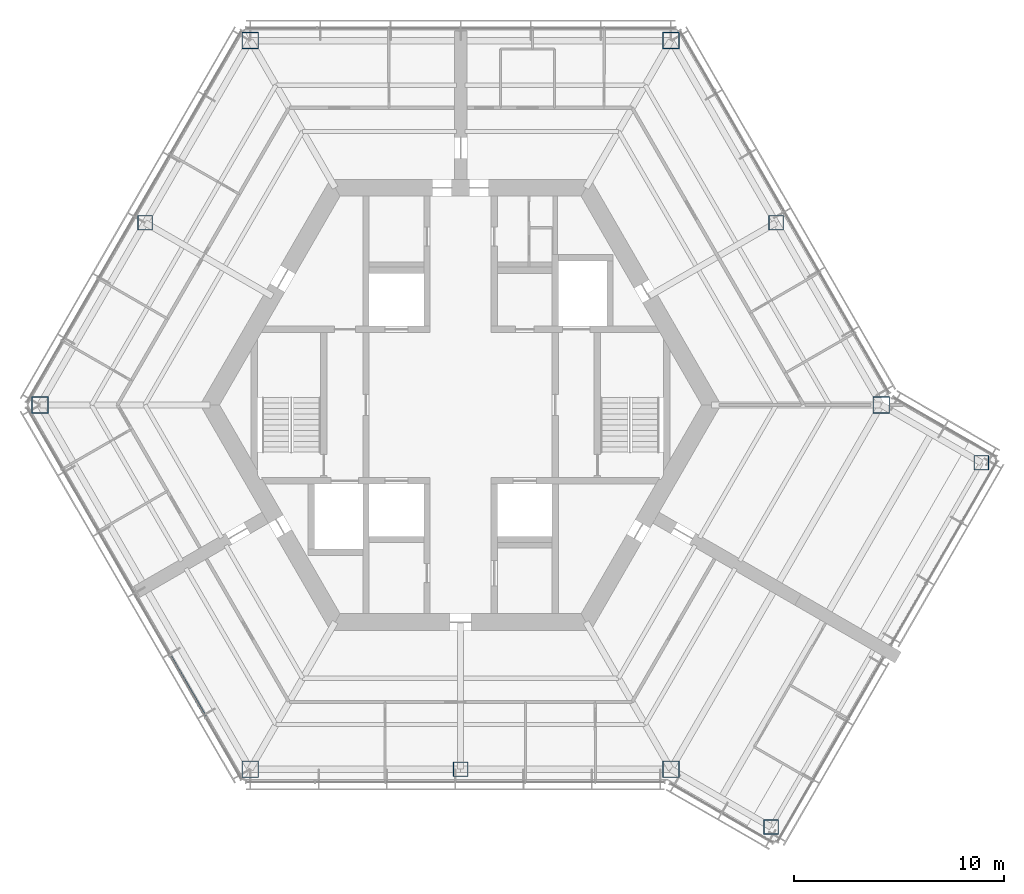
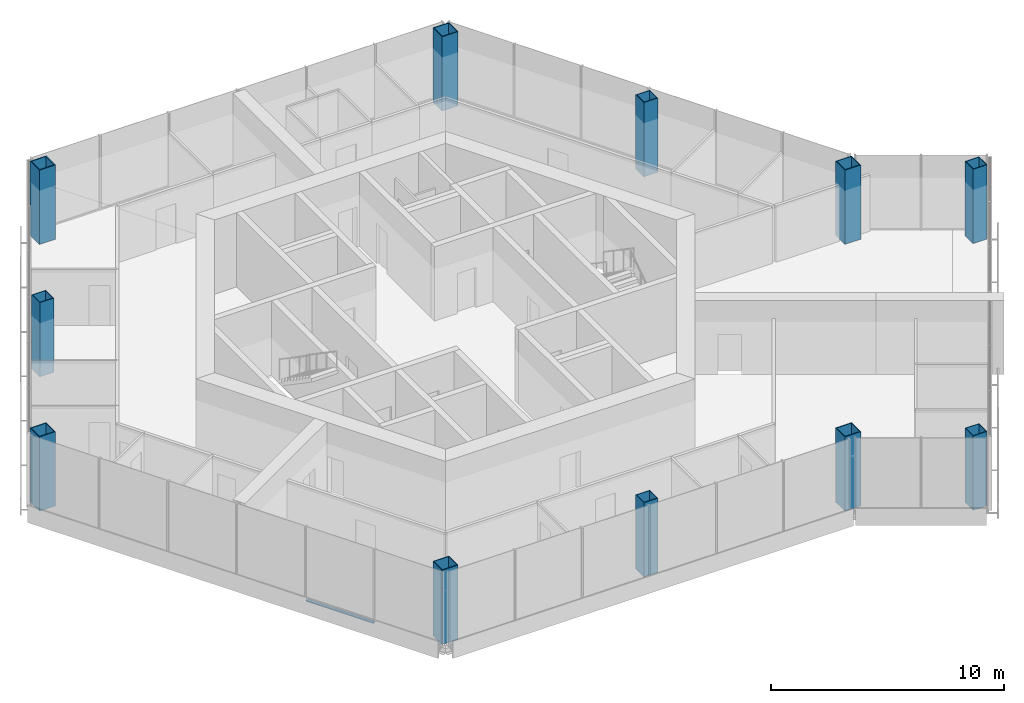
# One storey, part 1 of 13: 11 columns, 1 member, 1 element without a shape of its own.
"""IFC4 building model written with IfcOpenShell, lengths in metres."""

from ifc_helpers import new_model, si_unit, direction, frame, origin, origin_2d, place, context, subcontext, project, spatial, rectangle, hollow_rectangle, extrude, material, material_profile, profile_set, type_object, element, aggregate, save


model = new_model("IFC4")

# Units and contexts
model_context = context("Model", 3, precision=1e-05, world=origin(), true_north=direction((0.0, 1.0)))
body_context = subcontext(model_context, "Body", "Model", "MODEL_VIEW")
ifc_project = project(units=[si_unit("LENGTHUNIT", "METRE"), si_unit("AREAUNIT", "SQUARE_METRE"), si_unit("VOLUMEUNIT", "CUBIC_METRE"), si_unit("PLANEANGLEUNIT", "RADIAN"), si_unit("MASSUNIT", "GRAM", prefix="KILO")], contexts=[model_context])

# Site, building, storey
site_placement = place(None, origin())
site = spatial("IfcSite", under=ifc_project, at=site_placement, CompositionType="ELEMENT")
building_placement = place(site_placement, origin())
building = spatial("IfcBuilding", under=site, at=building_placement, Name="Kasaneha Research Tower", CompositionType="ELEMENT")
storey_placement = place(building_placement, frame((0.0, 0.0, 290.800048828125)))
storey = spatial("IfcBuildingStorey", under=building, at=storey_placement, Name="L73", CompositionType="ELEMENT", Elevation=290.800048828125)

# Columns
ifc_material_1 = material(Name="Steel SN490C", Category="steel")
ifc_material_profile_1 = material_profile(ifc_material_1, hollow_rectangle(XDim=0.800048828125, YDim=0.800048828125, WallThickness=0.0400390625, at=origin_2d()), Name="BOX-800x800x40")
ifc_profile_set_1 = profile_set([ifc_material_profile_1], Name="Steel SN490C")
column_type_1 = type_object("IfcColumnType", Name="C4A column BOX-800x800x40", PredefinedType="COLUMN", material=ifc_profile_set_1)
for number, where, z_axis, x_axis, name in (
    (1, (20.0, 0.0, 0.0), (0.0, 0.0, 1.0), (1.0, 0.0, 0.0), "Column V0 L73"),
    (2, (10.0, 17.320556640625, 0.0), (0.0, 0.0, 1.0), (1.0, 0.0, 0.0), "Column V1 L73"),
    (3, (-10.0, 17.320556640625, 0.0), (0.0, 0.0, 1.0), (1.0, 0.0, 0.0), "Column V2 L73"),
    (4, (-20.0, 0.0, 0.0), (0.0, 0.0, 1.0), (1.0, 0.0, 0.0), "Column V3 L73"),
    (5, (-10.0, -17.320556640625, 0.0), (0.0, 0.0, 1.0), (1.0, 0.0, 0.0), "Column V4 L73"),
    (6, (10.0, -17.320556640625, 0.0), (0.0, 0.0, 1.0), (1.0, 0.0, 0.0), "Column V5 L73"),
):
    element("IfcColumn", number, at=place(storey_placement, frame(where, z_axis=z_axis, x_axis=x_axis)), inside=storey, type_object=column_type_1, Name=name, PredefinedType="COLUMN", context=body_context, shape_type="SweptSolid", body=[
        extrude(hollow_rectangle(XDim=0.800048828125, YDim=0.800048828125, WallThickness=0.0400390625, at=origin_2d()), origin(), (0.0, 0.0, 1.0), 3.89990234375),
    ])
ifc_material_2 = material(Name="Steel SN490C", Category="steel")
ifc_material_profile_2 = material_profile(ifc_material_2, hollow_rectangle(XDim=0.699951171875, YDim=0.699951171875, WallThickness=0.031982421875, at=origin_2d()), Name="BOX-700x700x32")
ifc_profile_set_2 = profile_set([ifc_material_profile_2], Name="Steel SN490C")
column_type_2 = type_object("IfcColumnType", Name="C4B column BOX-700x700x32", PredefinedType="COLUMN", material=ifc_profile_set_2)
for number, where, z_axis, x_axis, name in (
    (7, (15.0, 8.66015625, 0.0), (0.0, 0.0, 1.0), (1.0, 0.0, 0.0), "Column M030 L73"),
    (8, (-15.0, 8.66015625, 0.0), (0.0, 0.0, 1.0), (1.0, 0.0, 0.0), "Column M150 L73"),
    (9, (0.0, -17.320556640625, 0.0), (0.0, 0.0, 1.0), (1.0, 0.0, 0.0), "Column M270 L73"),
    (10, (14.76318359375, -20.070556640625, 0.0), (0.0, 0.0, 1.0), (1.0, 0.0, 0.0), "Column CSP L73"),
    (11, (24.76318359375, -2.75, 0.0), (0.0, 0.0, 1.0), (1.0, 0.0, 0.0), "Column CSN L73"),
):
    element("IfcColumn", number, at=place(storey_placement, frame(where, z_axis=z_axis, x_axis=x_axis)), inside=storey, type_object=column_type_2, Name=name, PredefinedType="COLUMN", context=body_context, shape_type="SweptSolid", body=[
        extrude(hollow_rectangle(XDim=0.699951171875, YDim=0.699951171875, WallThickness=0.031982421875, at=origin_2d()), origin(), (0.0, 0.0, 1.0), 3.89990234375),
    ])

# Curtain wall, member
ifc_material_3 = material(Name="Glass and aluminium", Category="aluminium")
curtain_wall_type = type_object("IfcCurtainWallType", Name="Crown curtain wall", PredefinedType="USERDEFINED", material=ifc_material_3)
curtain_wall_placement = place(storey_placement, origin())
curtain_wall = element("IfcCurtainWall", 12, at=curtain_wall_placement, inside=storey, type_object=curtain_wall_type, Name="CW-C L73 run 04a", ObjectType="UNITISED CURTAIN WALL", PredefinedType="USERDEFINED")
ifc_material_4 = material(Name="Aluminium 6063-T6", Category="aluminium")
ifc_material_profile_3 = material_profile(ifc_material_4, rectangle(XDim=0.1298828125, YDim=0.06005859375, at=origin_2d()), Name="CW-C transom 130x60")
ifc_profile_set_3 = profile_set([ifc_material_profile_3], Name="Aluminium 6063-T6")
member_type = type_object("IfcMemberType", Name="CW-C transom", PredefinedType="USERDEFINED", material=ifc_profile_set_3)
member_placement = place(storey_placement, frame((-13.796875, -11.944091796875, 0.030029296875), z_axis=(0.499989072476, -0.866031712701, 0.0), x_axis=(0.866031712701, 0.499989072476, 0.0)))
member = element("IfcMember", 13, at=member_placement, type_object=member_type, Name="CW-C transom 5", ObjectType="TRANSOM", PredefinedType="USERDEFINED", context=body_context, shape_type="SweptSolid", body=[
    extrude(rectangle(XDim=0.1298828125, YDim=0.06005859375, at=origin_2d()), origin(), (0.0, 0.0, 1.0), 3.35546875),
])
aggregate(curtain_wall, [member])

save(model, "model.ifc")
